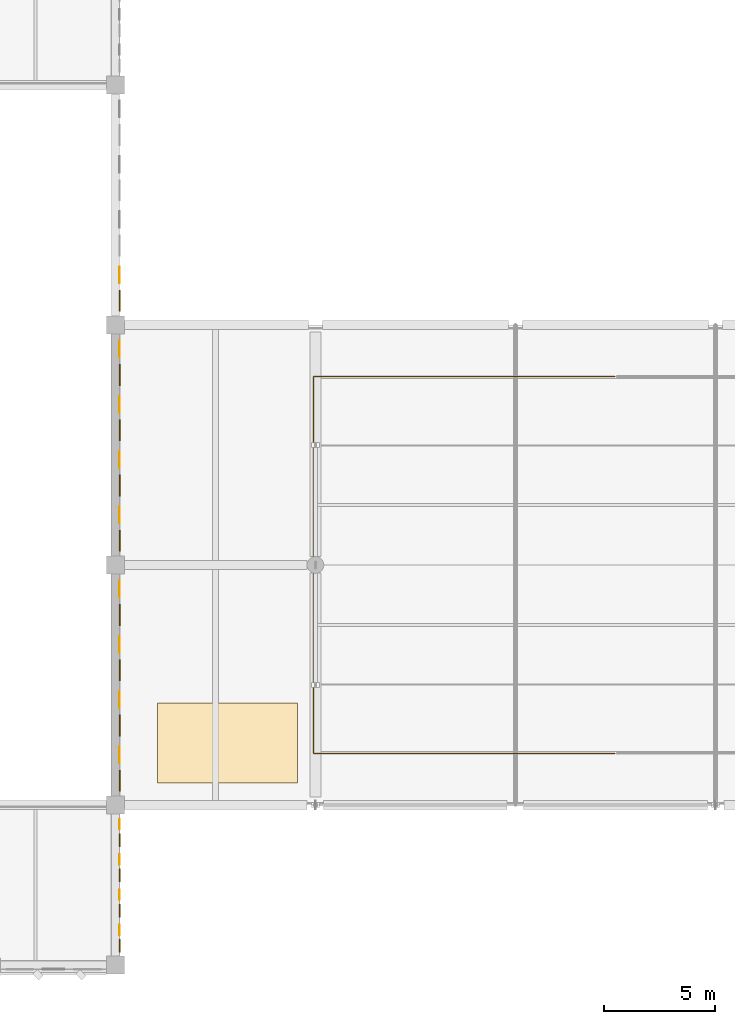
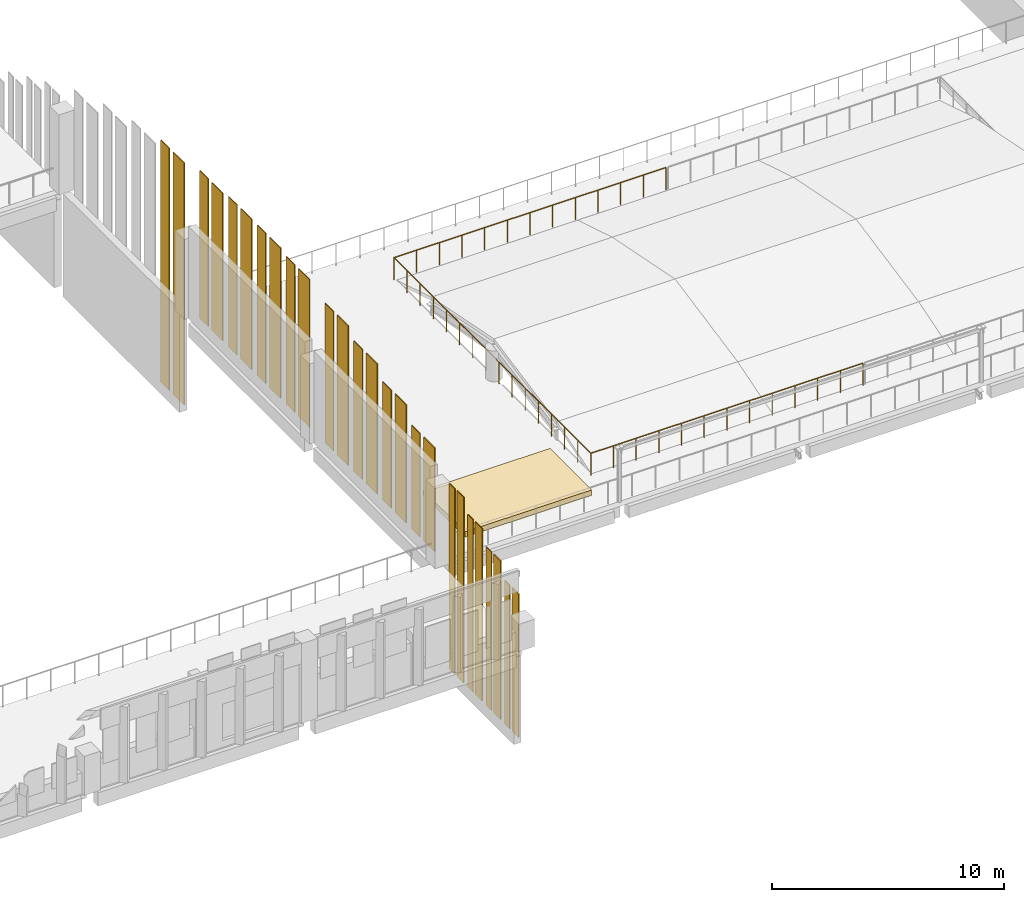
# One storey, part 145 of 158: 27 coverings, 1 railing.
"""IFC4 building model written with IfcOpenShell, lengths in metres."""

from ifc_helpers import new_model, si_unit, direction, frame, origin, origin_2d, place, context, subcontext, project, spatial, polyline, rectangle, circle, outline, extrude, material, layer, layer_set, type_object, element, save


model = new_model("IFC4")

# Units and contexts
model_context = context("Model", 3, precision=1e-05, world=origin(), true_north=direction((0.0, 1.0)))
body_context = subcontext(model_context, "Body", "Model", "MODEL_VIEW")
ifc_project = project(units=[si_unit("LENGTHUNIT", "METRE"), si_unit("AREAUNIT", "SQUARE_METRE"), si_unit("VOLUMEUNIT", "CUBIC_METRE"), si_unit("PLANEANGLEUNIT", "RADIAN"), si_unit("MASSUNIT", "GRAM", prefix="KILO")], contexts=[model_context])

# Site, building, storey
site_placement = place(None, origin())
site = spatial("IfcSite", under=ifc_project, at=site_placement, CompositionType="ELEMENT")
building_placement = place(site_placement, origin())
building = spatial("IfcBuilding", under=site, at=building_placement, Name="Lusvemor Sports Hall", CompositionType="ELEMENT")
storey_placement = place(building_placement, frame((0.0, 0.0, 10.800048828125)))
storey = spatial("IfcBuildingStorey", under=building, at=storey_placement, Name="L02", CompositionType="ELEMENT", Elevation=10.800048828125)

# Coverings
ifc_material_1 = material(Name="Emerald polychrome glazed ceramic cladding on Concrete C40/50 backing", Category="concrete")
ifc_layer_1 = layer(ifc_material_1, 0.0458984375)
ifc_layer_set_1 = layer_set([ifc_layer_1], Name="Emerald polychrome glazed ceramic cladding on Concrete C40/50 backing")
covering_type_1 = type_object("IfcCoveringType", Name="CLAD_WAVE_EMERALD", PredefinedType="CLADDING", material=ifc_layer_set_1)
covering_1_placement = place(storey_placement, frame((75.79052734375, 0.8662109375, -5.31982421875), z_axis=(0.0, 0.0, 1.0), x_axis=(1.0, 0.0, 0.0)))
element("IfcCovering", 1, at=covering_1_placement, inside=storey, type_object=covering_type_1, Name="Art Nouveau Patterned Cladding PS-V1ETY-1-0-1", PredefinedType="CLADDING", context=body_context, shape_type="SweptSolid", body=[
    extrude(rectangle(XDim=0.0458984375, YDim=0.584228515625, at=origin_2d()), origin(), (0.0, 0.0, 1.0), 7.544189453125),
])
covering_2_placement = place(storey_placement, frame((75.79052734375, 2.451416015625, -5.320068359375), z_axis=(0.0, 0.0, 1.0), x_axis=(1.0, 0.0, 0.0)))
element("IfcCovering", 2, at=covering_2_placement, inside=storey, type_object=covering_type_1, Name="Art Nouveau Patterned Cladding PS-V1ETY-1-1-1", PredefinedType="CLADDING", context=body_context, shape_type="SweptSolid", body=[
    extrude(rectangle(XDim=0.0458984375, YDim=0.584228515625, at=origin_2d()), origin(), (0.0, 0.0, 1.0), 8.34033203125),
])
covering_3_placement = place(storey_placement, frame((75.79052734375, 4.036376953125, -5.31982421875), z_axis=(0.0, 0.0, 1.0), x_axis=(1.0, 0.0, 0.0)))
element("IfcCovering", 3, at=covering_3_placement, inside=storey, type_object=covering_type_1, Name="Art Nouveau Patterned Cladding PS-V1ETY-1-2-1", PredefinedType="CLADDING", context=body_context, shape_type="SweptSolid", body=[
    extrude(rectangle(XDim=0.0458984375, YDim=0.584228515625, at=origin_2d()), origin(), (0.0, 0.0, 1.0), 9.077392578125),
])
covering_4_placement = place(storey_placement, frame((75.79052734375, 5.621337890625, -5.3203125), z_axis=(0.0, 0.0, 1.0), x_axis=(1.0, 0.0, 0.0)))
element("IfcCovering", 4, at=covering_4_placement, inside=storey, type_object=covering_type_1, Name="Art Nouveau Patterned Cladding PS-V1ETY-1-3-1", PredefinedType="CLADDING", context=body_context, shape_type="SweptSolid", body=[
    extrude(rectangle(XDim=0.0458984375, YDim=0.584228515625, at=origin_2d()), origin(), (0.0, 0.0, 1.0), 9.755615234375),
])
covering_5_placement = place(storey_placement, frame((75.79052734375, 8.291259765625, 0.080078125), z_axis=(0.0, 0.0, 1.0), x_axis=(1.0, 0.0, 0.0)))
element("IfcCovering", 5, at=covering_5_placement, inside=storey, type_object=covering_type_1, Name="Art Nouveau Patterned Cladding PS-V1ETY-2-0-1", PredefinedType="CLADDING", context=body_context, shape_type="SweptSolid", body=[
    extrude(rectangle(XDim=0.0458984375, YDim=0.953369140625, at=origin_2d()), origin(), (0.0, 0.0, 1.0), 5.441650390625),
])
covering_6_placement = place(storey_placement, frame((75.79052734375, 10.7763671875, 0.080078125), z_axis=(0.0, 0.0, 1.0), x_axis=(1.0, 0.0, 0.0)))
element("IfcCovering", 6, at=covering_6_placement, inside=storey, type_object=covering_type_1, Name="Art Nouveau Patterned Cladding PS-V1ETY-2-1-1", PredefinedType="CLADDING", context=body_context, shape_type="SweptSolid", body=[
    extrude(rectangle(XDim=0.0458984375, YDim=0.953369140625, at=origin_2d()), origin(), (0.0, 0.0, 1.0), 6.217041015625),
])
covering_7_placement = place(storey_placement, frame((75.79052734375, 13.26123046875, 0.080078125), z_axis=(0.0, 0.0, 1.0), x_axis=(1.0, 0.0, 0.0)))
element("IfcCovering", 7, at=covering_7_placement, inside=storey, type_object=covering_type_1, Name="Art Nouveau Patterned Cladding PS-V1ETY-2-2-1", PredefinedType="CLADDING", context=body_context, shape_type="SweptSolid", body=[
    extrude(rectangle(XDim=0.0458984375, YDim=0.953125, at=origin_2d()), origin(), (0.0, 0.0, 1.0), 6.847412109375),
])
covering_8_placement = place(storey_placement, frame((75.79052734375, 15.74609375, 0.080078125), z_axis=(0.0, 0.0, 1.0), x_axis=(1.0, 0.0, 0.0)))
element("IfcCovering", 8, at=covering_8_placement, inside=storey, type_object=covering_type_1, Name="Art Nouveau Patterned Cladding PS-V1ETY-2-3-1", PredefinedType="CLADDING", context=body_context, shape_type="SweptSolid", body=[
    extrude(rectangle(XDim=0.0458984375, YDim=0.953125, at=origin_2d()), origin(), (0.0, 0.0, 1.0), 7.33251953125),
])
covering_9_placement = place(storey_placement, frame((75.79052734375, 19.09130859375, 0.079833984375), z_axis=(0.0, 0.0, 1.0), x_axis=(1.0, 0.0, 0.0)))
element("IfcCovering", 9, at=covering_9_placement, inside=storey, type_object=covering_type_1, Name="Art Nouveau Patterned Cladding PS-V1ETY-3-0-1", PredefinedType="CLADDING", context=body_context, shape_type="SweptSolid", body=[
    extrude(rectangle(XDim=0.0458984375, YDim=0.953125, at=origin_2d()), origin(), (0.0, 0.0, 1.0), 7.7568359375),
])
covering_10_placement = place(storey_placement, frame((75.79052734375, 21.576171875, 0.079833984375), z_axis=(0.0, 0.0, 1.0), x_axis=(1.0, 0.0, 0.0)))
element("IfcCovering", 10, at=covering_10_placement, inside=storey, type_object=covering_type_1, Name="Art Nouveau Patterned Cladding PS-V1ETY-3-1-1", PredefinedType="CLADDING", context=body_context, shape_type="SweptSolid", body=[
    extrude(rectangle(XDim=0.0458984375, YDim=0.953125, at=origin_2d()), origin(), (0.0, 0.0, 1.0), 7.90185546875),
])
covering_11_placement = place(storey_placement, frame((75.79052734375, 24.061279296875, 0.079833984375), z_axis=(0.0, 0.0, 1.0), x_axis=(1.0, 0.0, 0.0)))
element("IfcCovering", 11, at=covering_11_placement, inside=storey, type_object=covering_type_1, Name="Art Nouveau Patterned Cladding PS-V1ETY-3-2-1", PredefinedType="CLADDING", context=body_context, shape_type="SweptSolid", body=[
    extrude(rectangle(XDim=0.0458984375, YDim=0.953369140625, at=origin_2d()), origin(), (0.0, 0.0, 1.0), 7.90185546875),
])
covering_12_placement = place(storey_placement, frame((75.79052734375, 26.54638671875, 0.079833984375), z_axis=(0.0, 0.0, 1.0), x_axis=(1.0, 0.0, 0.0)))
element("IfcCovering", 12, at=covering_12_placement, inside=storey, type_object=covering_type_1, Name="Art Nouveau Patterned Cladding PS-V1ETY-3-3-1", PredefinedType="CLADDING", context=body_context, shape_type="SweptSolid", body=[
    extrude(rectangle(XDim=0.0458984375, YDim=0.953125, at=origin_2d()), origin(), (0.0, 0.0, 1.0), 7.7568359375),
])
covering_13_placement = place(storey_placement, frame((75.79052734375, 29.89111328125, -5.3203125), z_axis=(0.0, 0.0, 1.0), x_axis=(1.0, 0.0, 0.0)))
element("IfcCovering", 13, at=covering_13_placement, inside=storey, type_object=covering_type_1, Name="Art Nouveau Patterned Cladding PS-V1ETY-4-0-1", PredefinedType="CLADDING", context=body_context, shape_type="SweptSolid", body=[
    extrude(rectangle(XDim=0.0458984375, YDim=0.953125, at=origin_2d()), origin(), (0.0, 0.0, 1.0), 12.732666015625),
])
ifc_material_2 = material(Name="Warm terracotta Art Nouveau ceramic cladding on Concrete C40/50 backing", Category="masonry")
ifc_layer_2 = layer(ifc_material_2, 0.0380859375)
ifc_layer_set_2 = layer_set([ifc_layer_2], Name="Warm terracotta Art Nouveau ceramic cladding on Concrete C40/50 backing")
covering_type_2 = type_object("IfcCoveringType", Name="CLAD_WAVE_OCHRE", PredefinedType="CLADDING", material=ifc_layer_set_2)
covering_14_placement = place(storey_placement, frame((75.78662109375, 1.578857421875, -5.31982421875), z_axis=(0.0, 0.0, 1.0), x_axis=(1.0, 0.0, 0.0)))
element("IfcCovering", 14, at=covering_14_placement, inside=storey, type_object=covering_type_2, Name="Art Nouveau Patterned Cladding PS-V1ETY-1-0-2", PredefinedType="CLADDING", context=body_context, shape_type="SweptSolid", body=[
    extrude(rectangle(XDim=0.0380859375, YDim=0.4560546875, at=origin_2d()), origin(), (0.0, 0.0, 1.0), 7.544189453125),
])
covering_15_placement = place(storey_placement, frame((75.78662109375, 3.163818359375, -5.320068359375), z_axis=(0.0, 0.0, 1.0), x_axis=(1.0, 0.0, 0.0)))
element("IfcCovering", 15, at=covering_15_placement, inside=storey, type_object=covering_type_2, Name="Art Nouveau Patterned Cladding PS-V1ETY-1-1-2", PredefinedType="CLADDING", context=body_context, shape_type="SweptSolid", body=[
    extrude(rectangle(XDim=0.0380859375, YDim=0.4560546875, at=origin_2d()), origin(), (0.0, 0.0, 1.0), 8.34033203125),
])
covering_16_placement = place(storey_placement, frame((75.78662109375, 4.748779296875, -5.31982421875), z_axis=(0.0, 0.0, 1.0), x_axis=(1.0, 0.0, 0.0)))
element("IfcCovering", 16, at=covering_16_placement, inside=storey, type_object=covering_type_2, Name="Art Nouveau Patterned Cladding PS-V1ETY-1-2-2", PredefinedType="CLADDING", context=body_context, shape_type="SweptSolid", body=[
    extrude(rectangle(XDim=0.0380859375, YDim=0.4560546875, at=origin_2d()), origin(), (0.0, 0.0, 1.0), 9.077392578125),
])
covering_17_placement = place(storey_placement, frame((75.78662109375, 6.333740234375, -5.3203125), z_axis=(0.0, 0.0, 1.0), x_axis=(1.0, 0.0, 0.0)))
element("IfcCovering", 17, at=covering_17_placement, inside=storey, type_object=covering_type_2, Name="Art Nouveau Patterned Cladding PS-V1ETY-1-3-2", PredefinedType="CLADDING", context=body_context, shape_type="SweptSolid", body=[
    extrude(rectangle(XDim=0.0380859375, YDim=0.4560546875, at=origin_2d()), origin(), (0.0, 0.0, 1.0), 9.755615234375),
])
covering_18_placement = place(storey_placement, frame((75.78662109375, 9.45361328125, 0.080078125), z_axis=(0.0, 0.0, 1.0), x_axis=(1.0, 0.0, 0.0)))
element("IfcCovering", 18, at=covering_18_placement, inside=storey, type_object=covering_type_2, Name="Art Nouveau Patterned Cladding PS-V1ETY-2-0-2", PredefinedType="CLADDING", context=body_context, shape_type="SweptSolid", body=[
    extrude(rectangle(XDim=0.0380859375, YDim=0.743896484375, at=origin_2d()), origin(), (0.0, 0.0, 1.0), 5.441650390625),
])
covering_19_placement = place(storey_placement, frame((75.78662109375, 11.938720703125, 0.080078125), z_axis=(0.0, 0.0, 1.0), x_axis=(1.0, 0.0, 0.0)))
element("IfcCovering", 19, at=covering_19_placement, inside=storey, type_object=covering_type_2, Name="Art Nouveau Patterned Cladding PS-V1ETY-2-1-2", PredefinedType="CLADDING", context=body_context, shape_type="SweptSolid", body=[
    extrude(rectangle(XDim=0.0380859375, YDim=0.743896484375, at=origin_2d()), origin(), (0.0, 0.0, 1.0), 6.217041015625),
])
covering_20_placement = place(storey_placement, frame((75.78662109375, 14.423828125, 0.080078125), z_axis=(0.0, 0.0, 1.0), x_axis=(1.0, 0.0, 0.0)))
element("IfcCovering", 20, at=covering_20_placement, inside=storey, type_object=covering_type_2, Name="Art Nouveau Patterned Cladding PS-V1ETY-2-2-2", PredefinedType="CLADDING", context=body_context, shape_type="SweptSolid", body=[
    extrude(rectangle(XDim=0.0380859375, YDim=0.743896484375, at=origin_2d()), origin(), (0.0, 0.0, 1.0), 6.847412109375),
])
covering_21_placement = place(storey_placement, frame((75.78662109375, 16.90869140625, 0.080078125), z_axis=(0.0, 0.0, 1.0), x_axis=(1.0, 0.0, 0.0)))
element("IfcCovering", 21, at=covering_21_placement, inside=storey, type_object=covering_type_2, Name="Art Nouveau Patterned Cladding PS-V1ETY-2-3-2", PredefinedType="CLADDING", context=body_context, shape_type="SweptSolid", body=[
    extrude(rectangle(XDim=0.0380859375, YDim=0.743896484375, at=origin_2d()), origin(), (0.0, 0.0, 1.0), 7.33251953125),
])
covering_22_placement = place(storey_placement, frame((75.78662109375, 20.253662109375, 0.079833984375), z_axis=(0.0, 0.0, 1.0), x_axis=(1.0, 0.0, 0.0)))
element("IfcCovering", 22, at=covering_22_placement, inside=storey, type_object=covering_type_2, Name="Art Nouveau Patterned Cladding PS-V1ETY-3-0-2", PredefinedType="CLADDING", context=body_context, shape_type="SweptSolid", body=[
    extrude(rectangle(XDim=0.0380859375, YDim=0.743896484375, at=origin_2d()), origin(), (0.0, 0.0, 1.0), 7.7568359375),
])
for number, where, z_axis, x_axis, name in (
    (23, (75.78662109375, 22.73876953125, 0.079833984375), (0.0, 0.0, 1.0), (1.0, 0.0, 0.0), "Art Nouveau Patterned Cladding PS-V1ETY-3-1-2"),
    (24, (75.78662109375, 25.2236328125, 0.079833984375), (0.0, 0.0, 1.0), (1.0, 0.0, 0.0), "Art Nouveau Patterned Cladding PS-V1ETY-3-2-2"),
):
    element("IfcCovering", number, at=place(storey_placement, frame(where, z_axis=z_axis, x_axis=x_axis)), inside=storey, type_object=covering_type_2, Name=name, PredefinedType="CLADDING", context=body_context, shape_type="SweptSolid", body=[
        extrude(rectangle(XDim=0.0380859375, YDim=0.743896484375, at=origin_2d()), origin(), (0.0, 0.0, 1.0), 7.90185546875),
    ])
covering_23_placement = place(storey_placement, frame((75.78662109375, 27.708740234375, 0.079833984375), z_axis=(0.0, 0.0, 1.0), x_axis=(1.0, 0.0, 0.0)))
element("IfcCovering", 25, at=covering_23_placement, inside=storey, type_object=covering_type_2, Name="Art Nouveau Patterned Cladding PS-V1ETY-3-3-2", PredefinedType="CLADDING", context=body_context, shape_type="SweptSolid", body=[
    extrude(rectangle(XDim=0.0380859375, YDim=0.743896484375, at=origin_2d()), origin(), (0.0, 0.0, 1.0), 7.7568359375),
])
covering_24_placement = place(storey_placement, frame((75.78662109375, 31.0537109375, -5.3203125), z_axis=(0.0, 0.0, 1.0), x_axis=(1.0, 0.0, 0.0)))
element("IfcCovering", 26, at=covering_24_placement, inside=storey, type_object=covering_type_2, Name="Art Nouveau Patterned Cladding PS-V1ETY-4-0-2", PredefinedType="CLADDING", context=body_context, shape_type="SweptSolid", body=[
    extrude(rectangle(XDim=0.0380859375, YDim=0.743896484375, at=origin_2d()), origin(), (0.0, 0.0, 1.0), 12.732666015625),
])
ifc_material_3 = material(Name="Planted coastal botanical green roof garden bed")
ifc_layer_3 = layer(ifc_material_3, 0.280029296875)
ifc_layer_set_3 = layer_set([ifc_layer_3], Name="Planted coastal botanical green roof garden bed")
covering_type_3 = type_object("IfcCoveringType", Name="COV_GARDEN_BED", PredefinedType="ROOFING", material=ifc_layer_set_3)
covering_25_placement = place(storey_placement, origin())
element("IfcCovering", 27, at=covering_25_placement, inside=storey, type_object=covering_type_3, Name="Planted Coastal Roof Garden Bed 1", PredefinedType="ROOFING", context=body_context, shape_type="SweptSolid", body=[
    extrude(outline(polyline([(77.5, 8.199951171875), (83.800048828125, 8.199951171875), (83.800048828125, 11.800048828125), (77.5, 11.800048828125), (77.5, 8.199951171875)])), origin(), (0.0, 0.0, 1.0), 0.280029296875),
])

# Railing
ifc_material_4 = material(Name="Bronze-finished wrought-steel Art Nouveau balustrade", Category="steel")
railing_type = type_object("IfcRailingType", Name="RAIL_TERR_GUARD_118", PredefinedType="GUARDRAIL", material=ifc_material_4)
railing_placement = place(storey_placement, frame((98.050048828125, 9.52001953125, 0.0)))
element("IfcRailing", 28, at=railing_placement, inside=storey, type_object=railing_type, Name="Foyer Lantern Opening Guard West", PredefinedType="GUARDRAIL", context=body_context, shape_type="SweptSolid", body=[
    extrude(circle(Radius=0.02392578125, at=origin_2d()), frame((0.0, 0.0, 1.15576171875), z_axis=(-1.0, 0.0, 0.0), x_axis=(0.0, -1.0, 0.0)), (0.0, 0.0, 1.0), 13.530029296875),
    extrude(circle(Radius=0.02392578125, at=origin_2d()), frame((-13.530029296875, 0.0, 1.15576171875), z_axis=(0.0, 1.0, 0.0), x_axis=(-1.0, 0.0, 0.0)), (0.0, 0.0, 1.0), 16.9599609375),
    extrude(circle(Radius=0.02392578125, at=origin_2d()), frame((-13.530029296875, 16.9599609375, 1.15576171875), z_axis=(1.0, 0.0, 0.0), x_axis=(0.0, 1.0, 0.0)), (0.0, 0.0, 1.0), 13.530029296875),
    extrude(circle(Radius=0.02099609375, at=origin_2d()), origin(), (0.0, 0.0, 1.0), 1.1318359375),
    extrude(circle(Radius=0.02099609375, at=origin_2d()), frame((-1.12744140625, 0.0, 0.0)), (0.0, 0.0, 1.0), 1.1318359375),
    extrude(circle(Radius=0.02099609375, at=origin_2d()), frame((-2.2548828125, 0.0, 0.0)), (0.0, 0.0, 1.0), 1.1318359375),
    extrude(circle(Radius=0.02099609375, at=origin_2d()), frame((-3.382568359375, 0.0, 0.0)), (0.0, 0.0, 1.0), 1.1318359375),
    extrude(circle(Radius=0.02099609375, at=origin_2d()), frame((-4.510009765625, 0.0, 0.0)), (0.0, 0.0, 1.0), 1.1318359375),
    extrude(circle(Radius=0.02099609375, at=origin_2d()), frame((-5.637451171875, 0.0, 0.0)), (0.0, 0.0, 1.0), 1.1318359375),
    extrude(circle(Radius=0.02099609375, at=origin_2d()), frame((-6.76513671875, 0.0, 0.0)), (0.0, 0.0, 1.0), 1.1318359375),
    extrude(circle(Radius=0.02099609375, at=origin_2d()), frame((-7.892578125, 0.0, 0.0)), (0.0, 0.0, 1.0), 1.1318359375),
    extrude(circle(Radius=0.02099609375, at=origin_2d()), frame((-9.02001953125, 0.0, 0.0)), (0.0, 0.0, 1.0), 1.1318359375),
    extrude(circle(Radius=0.02099609375, at=origin_2d()), frame((-10.1474609375, 0.0, 0.0)), (0.0, 0.0, 1.0), 1.1318359375),
    extrude(circle(Radius=0.02099609375, at=origin_2d()), frame((-11.27490234375, 0.0, 0.0)), (0.0, 0.0, 1.0), 1.1318359375),
    extrude(circle(Radius=0.02099609375, at=origin_2d()), frame((-12.402587890625, 0.0, 0.0)), (0.0, 0.0, 1.0), 1.1318359375),
    extrude(circle(Radius=0.02099609375, at=origin_2d()), frame((-13.530029296875, 0.0, 0.0)), (0.0, 0.0, 1.0), 1.1318359375),
    extrude(circle(Radius=0.02099609375, at=origin_2d()), frame((-13.530029296875, 1.130615234375, 0.0)), (0.0, 0.0, 1.0), 1.1318359375),
    extrude(circle(Radius=0.02099609375, at=origin_2d()), frame((-13.530029296875, 2.26123046875, 0.0)), (0.0, 0.0, 1.0), 1.1318359375),
    extrude(circle(Radius=0.02099609375, at=origin_2d()), frame((-13.530029296875, 3.39208984375, 0.0)), (0.0, 0.0, 1.0), 1.1318359375),
    extrude(circle(Radius=0.02099609375, at=origin_2d()), frame((-13.530029296875, 4.522705078125, 0.0)), (0.0, 0.0, 1.0), 1.1318359375),
    extrude(circle(Radius=0.02099609375, at=origin_2d()), frame((-13.530029296875, 5.6533203125, 0.0)), (0.0, 0.0, 1.0), 1.1318359375),
    extrude(circle(Radius=0.02099609375, at=origin_2d()), frame((-13.530029296875, 6.783935546875, 0.0)), (0.0, 0.0, 1.0), 1.1318359375),
    extrude(circle(Radius=0.02099609375, at=origin_2d()), frame((-13.530029296875, 7.91455078125, 0.0)), (0.0, 0.0, 1.0), 1.1318359375),
    extrude(circle(Radius=0.02099609375, at=origin_2d()), frame((-13.530029296875, 9.04541015625, 0.0)), (0.0, 0.0, 1.0), 1.1318359375),
    extrude(circle(Radius=0.02099609375, at=origin_2d()), frame((-13.530029296875, 10.176025390625, 0.0)), (0.0, 0.0, 1.0), 1.1318359375),
    extrude(circle(Radius=0.02099609375, at=origin_2d()), frame((-13.530029296875, 11.306640625, 0.0)), (0.0, 0.0, 1.0), 1.1318359375),
    extrude(circle(Radius=0.02099609375, at=origin_2d()), frame((-13.530029296875, 12.437255859375, 0.0)), (0.0, 0.0, 1.0), 1.1318359375),
    extrude(circle(Radius=0.02099609375, at=origin_2d()), frame((-13.530029296875, 13.56787109375, 0.0)), (0.0, 0.0, 1.0), 1.1318359375),
    extrude(circle(Radius=0.02099609375, at=origin_2d()), frame((-13.530029296875, 14.69873046875, 0.0)), (0.0, 0.0, 1.0), 1.1318359375),
    extrude(circle(Radius=0.02099609375, at=origin_2d()), frame((-13.530029296875, 15.829345703125, 0.0)), (0.0, 0.0, 1.0), 1.1318359375),
    extrude(circle(Radius=0.02099609375, at=origin_2d()), frame((-13.530029296875, 16.9599609375, 0.0)), (0.0, 0.0, 1.0), 1.1318359375),
    extrude(circle(Radius=0.02099609375, at=origin_2d()), frame((-12.402587890625, 16.9599609375, 0.0)), (0.0, 0.0, 1.0), 1.1318359375),
    extrude(circle(Radius=0.02099609375, at=origin_2d()), frame((-11.27490234375, 16.9599609375, 0.0)), (0.0, 0.0, 1.0), 1.1318359375),
    extrude(circle(Radius=0.02099609375, at=origin_2d()), frame((-10.1474609375, 16.9599609375, 0.0)), (0.0, 0.0, 1.0), 1.1318359375),
    extrude(circle(Radius=0.02099609375, at=origin_2d()), frame((-9.02001953125, 16.9599609375, 0.0)), (0.0, 0.0, 1.0), 1.1318359375),
    extrude(circle(Radius=0.02099609375, at=origin_2d()), frame((-7.892578125, 16.9599609375, 0.0)), (0.0, 0.0, 1.0), 1.1318359375),
    extrude(circle(Radius=0.02099609375, at=origin_2d()), frame((-6.76513671875, 16.9599609375, 0.0)), (0.0, 0.0, 1.0), 1.1318359375),
    extrude(circle(Radius=0.02099609375, at=origin_2d()), frame((-5.637451171875, 16.9599609375, 0.0)), (0.0, 0.0, 1.0), 1.1318359375),
    extrude(circle(Radius=0.02099609375, at=origin_2d()), frame((-4.510009765625, 16.9599609375, 0.0)), (0.0, 0.0, 1.0), 1.1318359375),
    extrude(circle(Radius=0.02099609375, at=origin_2d()), frame((-3.382568359375, 16.9599609375, 0.0)), (0.0, 0.0, 1.0), 1.1318359375),
    extrude(circle(Radius=0.02099609375, at=origin_2d()), frame((-2.2548828125, 16.9599609375, 0.0)), (0.0, 0.0, 1.0), 1.1318359375),
    extrude(circle(Radius=0.02099609375, at=origin_2d()), frame((-1.12744140625, 16.9599609375, 0.0)), (0.0, 0.0, 1.0), 1.1318359375),
    extrude(circle(Radius=0.02099609375, at=origin_2d()), frame((0.0, 16.9599609375, 0.0)), (0.0, 0.0, 1.0), 1.1318359375),
])

save(model, "model.ifc")
